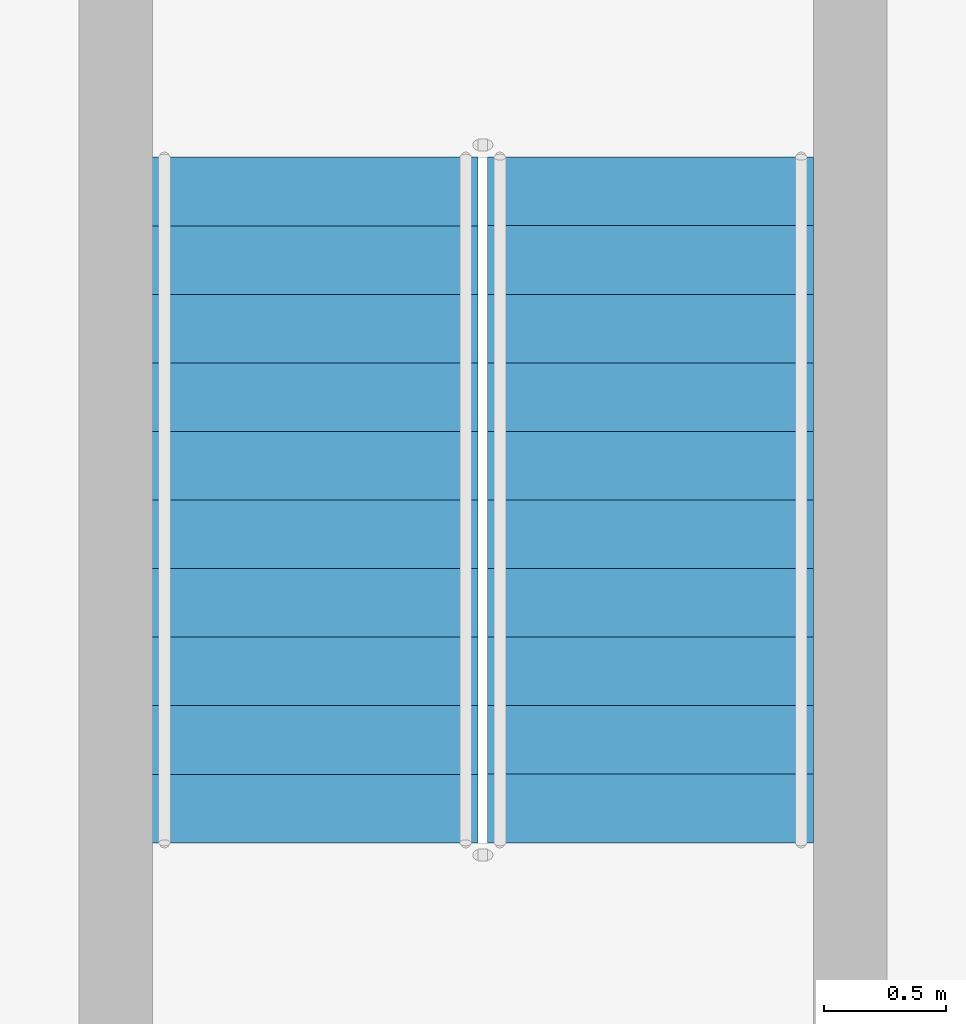
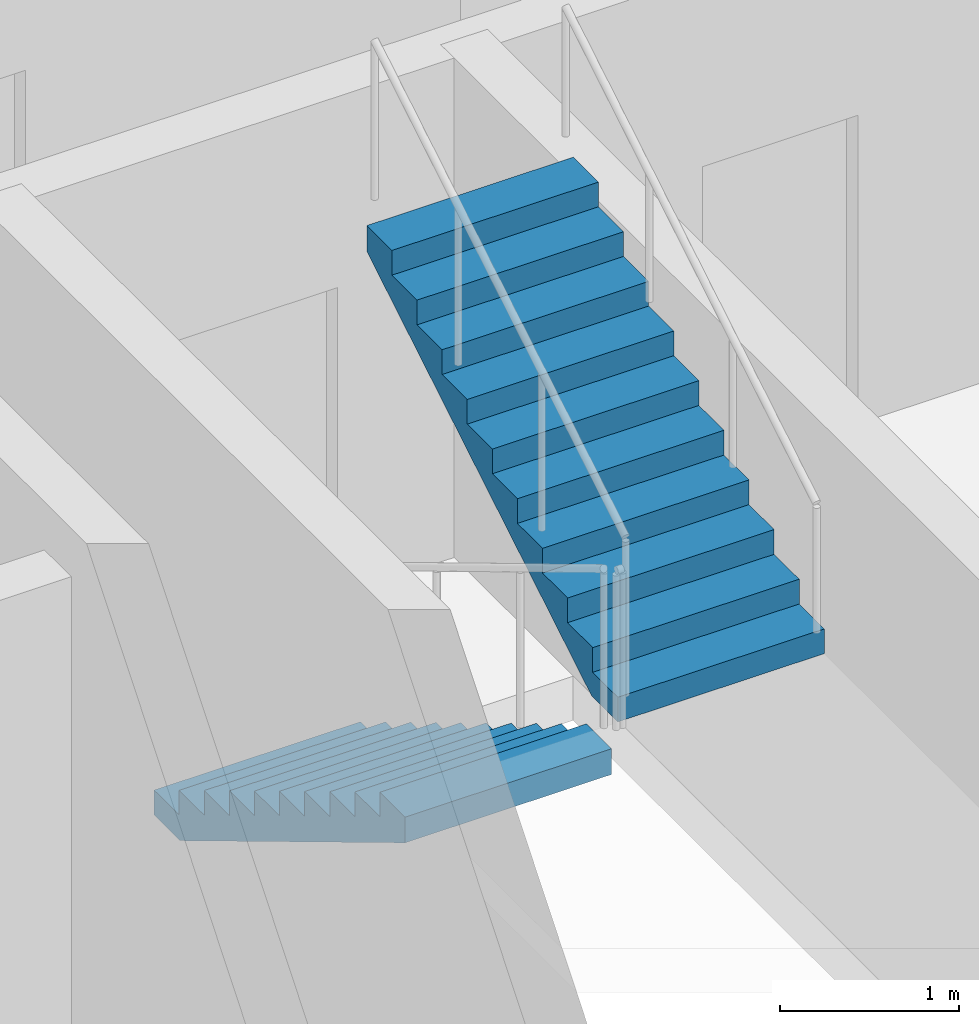
# One storey, part 13 of 21: 2 stair flights, 1 element without a shape of its own.
"""IFC4 building model written with IfcOpenShell, lengths in metres."""

import ifcopenshell
import ifcopenshell.guid

model = None  # the IFC model being written
_history = None  # IfcOwnerHistory: only IFC2X3 demands one
_inside = {}  # id of a spatial element -> (the spatial element, [elements in it])
_under = {}  # id of a project, library or spatial element -> (it, [spatial elements below it])
_declared = {}  # id of a project -> (the project, [libraries it declares])
_typed = {}  # id of a type object -> (the type object, [elements of that type])
_made_of = {}  # id of a material, layer set ... -> (it, [elements and type objects made of it])


def new_model(schema):
    """Start an empty IFC model of exactly this schema.

    Asked for "IFC4X3", IfcOpenShell would pick the latest addendum, in which some entities
    have other attributes; the version numbers below select the first issue.
    IFC2X3 requires an IfcOwnerHistory on every rooted entity: one is made here for all.
    """
    global model, _history
    if schema == "IFC4X3":
        model = ifcopenshell.file(schema_version=(4, 3, 0, 0))
    else:
        model = ifcopenshell.file(schema=schema)
    _inside.clear()
    _under.clear()
    _declared.clear()
    _typed.clear()
    _made_of.clear()
    _history = None
    if model.schema == "IFC2X3":
        org = make("IfcOrganization", Name="unknown")
        user = make(
            "IfcPersonAndOrganization",
            ThePerson=make("IfcPerson", FamilyName="unknown"),
            TheOrganization=org,
        )
        app = make(
            "IfcApplication",
            ApplicationDeveloper=org,
            Version="unknown",
            ApplicationFullName="unknown",
            ApplicationIdentifier="unknown",
        )
        _history = make(
            "IfcOwnerHistory",
            OwningUser=user,
            OwningApplication=app,
            ChangeAction="ADDED",
            CreationDate=0,
        )
    return model


def make(cls, **values):
    """One entity of the class cls with the attributes given. An attribute that is None is left unset."""
    return model.create_entity(
        cls, **{name: value for name, value in values.items() if value is not None}
    )


def rooted(cls, **values):
    """An entity with a GlobalId (a new one), such as an element, a storey or a relation."""
    return make(cls, GlobalId=ifcopenshell.guid.new(), OwnerHistory=_history, **values)


def si_unit(unit_type, name, prefix=None):
    """IfcSIUnit, for example si_unit("LENGTHUNIT", "METRE", prefix="MILLI")."""
    return make("IfcSIUnit", UnitType=unit_type, Prefix=prefix, Name=name)


def assignment(units):
    """IfcUnitAssignment: the units of a project."""
    return None if units is None else make("IfcUnitAssignment", Units=units)


def point(xyz):
    """IfcCartesianPoint."""
    return None if xyz is None else make("IfcCartesianPoint", Coordinates=xyz)


def direction(xyz):
    """IfcDirection."""
    return None if xyz is None else make("IfcDirection", DirectionRatios=xyz)


def frame(location, z_axis=None, x_axis=None):
    """IfcAxis2Placement3D, a coordinate frame: its origin and axes. An axis left out is left unset."""
    return make(
        "IfcAxis2Placement3D",
        Location=point(location),
        Axis=direction(z_axis),
        RefDirection=direction(x_axis),
    )


def origin():
    """The frame at (0, 0, 0) with its axes left unset."""
    return frame((0.0, 0.0, 0.0))


def place(relative_to, where):
    """IfcLocalPlacement: puts the frame where relative to a parent placement (None: the world)."""
    return make(
        "IfcLocalPlacement", PlacementRelTo=relative_to, RelativePlacement=where
    )


def context(
    kind, dimensions, precision=None, world=None, true_north=None, identifier=None
):
    """IfcGeometricRepresentationContext, for example the 3D "Model" context."""
    return make(
        "IfcGeometricRepresentationContext",
        ContextIdentifier=identifier,
        ContextType=kind,
        CoordinateSpaceDimension=dimensions,
        Precision=precision,
        WorldCoordinateSystem=world,
        TrueNorth=true_north,
    )


def subcontext(parent, identifier, kind, view, scale=None):
    """IfcGeometricRepresentationSubContext, for example "Body" below "Model"."""
    return make(
        "IfcGeometricRepresentationSubContext",
        ContextIdentifier=identifier,
        ContextType=kind,
        ParentContext=parent,
        TargetScale=scale,
        TargetView=view,
    )


def project(units=None, contexts=None):
    """IfcProject with its units and contexts."""
    return rooted(
        "IfcProject",
        Name="project",
        RepresentationContexts=contexts,
        UnitsInContext=assignment(units),
    )


def spatial(cls, under=None, at=None, **own):
    """A site, building, storey or space (cls), placed at a placement, below another one or the project."""
    s = rooted(cls, ObjectPlacement=at, **own)
    if under is not None:
        _under.setdefault(under.id(), (under, []))[1].append(s)
    return s


def point_list(points):
    """IfcCartesianPointList2D or 3D."""
    cls = (
        "IfcCartesianPointList2D" if len(points[0]) == 2 else "IfcCartesianPointList3D"
    )
    return make(cls, CoordList=points)


def triangles(points, corners, closed=None, point_numbers=None):
    """IfcTriangulatedFaceSet: each triangle names its three corners, points numbered from 1."""
    return make(
        "IfcTriangulatedFaceSet",
        Coordinates=point_list(points),
        Closed=closed,
        CoordIndex=corners,
        PnIndex=point_numbers,
    )


def shape(context_of_items, identifier, shape_type, items):
    """IfcShapeRepresentation: the items that make up one representation, for example the "Body"."""
    return make(
        "IfcShapeRepresentation",
        ContextOfItems=context_of_items,
        RepresentationIdentifier=identifier,
        RepresentationType=shape_type,
        Items=items,
    )


def source(mapping_origin, context_of_items, identifier, shape_type, items):
    """IfcRepresentationMap: a shape defined once, which mapped items show again and again."""
    return make(
        "IfcRepresentationMap",
        MappingOrigin=mapping_origin,
        MappedRepresentation=shape(context_of_items, identifier, shape_type, items),
    )


def transform(
    local_origin,
    x_axis=None,
    y_axis=None,
    z_axis=None,
    scale=None,
    scale2=None,
    scale3=None,
    uniform=True,
):
    """IfcCartesianTransformationOperator3D, or its non-uniform kind. x_axis, y_axis, z_axis: its Axis1, 2, 3."""
    if uniform:
        return make(
            "IfcCartesianTransformationOperator3D",
            Axis1=direction(x_axis),
            Axis2=direction(y_axis),
            LocalOrigin=point(local_origin),
            Scale=scale,
            Axis3=direction(z_axis),
        )
    return make(
        "IfcCartesianTransformationOperator3DnonUniform",
        Axis1=direction(x_axis),
        Axis2=direction(y_axis),
        LocalOrigin=point(local_origin),
        Scale=scale,
        Axis3=direction(z_axis),
        Scale2=scale2,
        Scale3=scale3,
    )


def mapped(mapping_source, mapping_target):
    """IfcMappedItem: shows the shape of a source again, moved by a transform."""
    return make(
        "IfcMappedItem", MappingSource=mapping_source, MappingTarget=mapping_target
    )


def material(Name=None, Category=None):
    """IfcMaterial."""
    return make("IfcMaterial", Name=Name, Category=Category)


def made_of(thing, what):
    """Note that an element or type object is made of a material, layer set ...; save() writes the relation."""
    if what is not None:
        _made_of.setdefault(what.id(), (what, []))[1].append(thing)
    return thing


def type_object(cls, material=None, **own):
    """A type object (cls), such as IfcWallType, which elements share."""
    return made_of(rooted(cls, **own), material)


def element(
    cls,
    number,
    at=None,
    inside=None,
    cuts=None,
    type_object=None,
    material=None,
    context=None,
    identifier="Body",
    shape_type=None,
    held_by="IfcProductDefinitionShape",
    body=None,
    shapes=None,
    **own,
):
    """One element of the class cls, such as IfcWall. Its Tag is "e" and its number.

    at: its placement. inside: the storey or other place that contains it. cuts: it is an
    opening in that element (IfcRelVoidsElement). A single representation is given by context,
    identifier, shape_type and body (its items); several are given by shapes. held_by: the class
    of the entity that holds the representations. save() writes the other relations.
    """
    e = rooted(cls, Tag="e%d" % number, ObjectPlacement=at, **own)
    if body is not None:
        shapes = [shape(context, identifier, shape_type, body)]
    if shapes is not None:
        e.Representation = make(held_by, Representations=shapes)
    if inside is not None:
        _inside.setdefault(inside.id(), (inside, []))[1].append(e)
    if cuts is not None:
        rooted(
            "IfcRelVoidsElement", RelatingBuildingElement=cuts, RelatedOpeningElement=e
        )
    if type_object is not None:
        _typed.setdefault(type_object.id(), (type_object, []))[1].append(e)
    return made_of(e, material)


def aggregate(whole, parts):
    """IfcRelAggregates: a whole, such as a stair, and the parts it consists of."""
    return rooted("IfcRelAggregates", RelatingObject=whole, RelatedObjects=parts)


def save(model, path):
    """Write the relations noted so far, then the file.

    IfcRelAggregates (storeys below a building ...), IfcRelContainedInSpatialStructure (elements
    in a storey), IfcRelDefinesByType, IfcRelAssociatesMaterial and IfcRelDeclares: one each for
    every whole, place, type object, material and project.
    """
    for whole, parts in _under.values():
        aggregate(whole, parts)
    for where, things in _inside.values():
        rooted(
            "IfcRelContainedInSpatialStructure",
            RelatedElements=things,
            RelatingStructure=where,
        )
    for kind, things in _typed.values():
        rooted("IfcRelDefinesByType", RelatedObjects=things, RelatingType=kind)
    for what, things in _made_of.values():
        rooted("IfcRelAssociatesMaterial", RelatedObjects=things, RelatingMaterial=what)
    for by, libraries in _declared.values():
        rooted("IfcRelDeclares", RelatingContext=by, RelatedDefinitions=libraries)
    model.write(path)


model = new_model("IFC4")

# Units and contexts
model_context = context("Model", 3, precision=1e-05, world=origin(), true_north=direction((0.0, 1.0)))
body_context = subcontext(model_context, "Body", "Model", "MODEL_VIEW")
ifc_project = project(units=[si_unit("LENGTHUNIT", "METRE"), si_unit("AREAUNIT", "SQUARE_METRE"), si_unit("VOLUMEUNIT", "CUBIC_METRE"), si_unit("PLANEANGLEUNIT", "RADIAN"), si_unit("MASSUNIT", "GRAM", prefix="KILO")], contexts=[model_context])

# Site, building, storey
site_placement = place(None, origin())
site = spatial("IfcSite", under=ifc_project, at=site_placement, CompositionType="ELEMENT")
building_placement = place(site_placement, origin())
building = spatial("IfcBuilding", under=site, at=building_placement, Name="Ogive Portal Towers", CompositionType="ELEMENT")
storey_placement = place(building_placement, frame((0.0, 0.0, 109.300048828125)))
storey = spatial("IfcBuildingStorey", under=building, at=storey_placement, Name="L26", CompositionType="ELEMENT", Elevation=109.300048828125)

# Stair, stair flights
ifc_material = material(Name="Concrete C40/50", Category="concrete")
stair_type = type_object("IfcStairType", Name="INT-STAIR", PredefinedType="HALF_TURN_STAIR", material=ifc_material)
stair_placement = place(storey_placement, origin())
stair = element("IfcStair", 1, at=stair_placement, inside=storey, type_object=stair_type, Name="L26 Exit Stair ST-A4", PredefinedType="HALF_TURN_STAIR")
stair_flight_type = type_object("IfcStairFlightType", Name="INT-FLIGHT", PredefinedType="STRAIGHT", material=ifc_material)
shared_shape = source(origin(), body_context, "Body", "Tessellation", [
    triangles([(0.0, -0.6650390625, 0.0), (0.0, -0.384765625, 0.0), (0.0, -0.197021484375, 0.0), (0.0, -0.0830078125, 0.0), (0.0, -0.024658203125, 0.0), (0.0, -0.003173828125, 0.0), (0.0, 0.0, 0.0), (0.0, 0.003173828125, 0.0), (0.0, 0.024658203125, 0.0), (0.0, 0.0830078125, 0.0), (0.0, 0.197021484375, 0.0), (0.0, 0.384765625, 0.0), (0.0, 0.6650390625, 0.0), (0.0, -0.6650390625, 0.168212890625), (0.0, -0.384765625, 0.168212890625), (0.0, -0.197021484375, 0.168212890625), (0.0, -0.0830078125, 0.168212890625), (0.0, -0.024658203125, 0.168212890625), (0.0, -0.003173828125, 0.168212890625), (0.0, 0.0, 0.168212890625), (0.0, 0.003173828125, 0.168212890625), (0.0, 0.024658203125, 0.168212890625), (0.0, 0.0830078125, 0.168212890625), (0.0, 0.197021484375, 0.168212890625), (0.0, 0.384765625, 0.168212890625), (0.0, 0.6650390625, 0.168212890625), (0.280029296875, -0.6650390625, 0.168212890625), (0.280029296875, -0.384765625, 0.168212890625), (0.280029296875, -0.197021484375, 0.168212890625), (0.280029296875, -0.0830078125, 0.168212890625), (0.280029296875, -0.024658203125, 0.168212890625), (0.280029296875, -0.003173828125, 0.168212890625), (0.280029296875, 0.0, 0.168212890625), (0.280029296875, 0.003173828125, 0.168212890625), (0.280029296875, 0.024658203125, 0.168212890625), (0.280029296875, 0.0830078125, 0.168212890625), (0.280029296875, 0.197021484375, 0.168212890625), (0.280029296875, 0.384765625, 0.168212890625), (0.280029296875, 0.6650390625, 0.168212890625), (0.280029296875, -0.6650390625, 0.33642578125), (0.280029296875, -0.384765625, 0.33642578125), (0.280029296875, -0.197021484375, 0.33642578125), (0.280029296875, -0.0830078125, 0.33642578125), (0.280029296875, -0.024658203125, 0.33642578125), (0.280029296875, -0.003173828125, 0.33642578125), (0.280029296875, 0.0, 0.33642578125), (0.280029296875, 0.003173828125, 0.33642578125), (0.280029296875, 0.024658203125, 0.33642578125), (0.280029296875, 0.0830078125, 0.33642578125), (0.280029296875, 0.197021484375, 0.33642578125), (0.280029296875, 0.384765625, 0.33642578125), (0.280029296875, 0.6650390625, 0.33642578125), (0.56005859375, -0.6650390625, 0.33642578125), (0.56005859375, -0.384765625, 0.33642578125), (0.56005859375, -0.197021484375, 0.33642578125), (0.56005859375, -0.0830078125, 0.33642578125), (0.56005859375, -0.024658203125, 0.33642578125), (0.56005859375, -0.003173828125, 0.33642578125), (0.56005859375, 0.0, 0.33642578125), (0.56005859375, 0.003173828125, 0.33642578125), (0.56005859375, 0.024658203125, 0.33642578125), (0.56005859375, 0.0830078125, 0.33642578125), (0.56005859375, 0.197021484375, 0.33642578125), (0.56005859375, 0.384765625, 0.33642578125), (0.56005859375, 0.6650390625, 0.33642578125), (0.56005859375, -0.6650390625, 0.504638671875), (0.56005859375, -0.384765625, 0.504638671875), (0.56005859375, -0.197021484375, 0.504638671875), (0.56005859375, -0.0830078125, 0.504638671875), (0.56005859375, -0.024658203125, 0.504638671875), (0.56005859375, -0.003173828125, 0.504638671875), (0.56005859375, 0.0, 0.504638671875), (0.56005859375, 0.003173828125, 0.504638671875), (0.56005859375, 0.024658203125, 0.504638671875), (0.56005859375, 0.0830078125, 0.504638671875), (0.56005859375, 0.197021484375, 0.504638671875), (0.56005859375, 0.384765625, 0.504638671875), (0.56005859375, 0.6650390625, 0.504638671875), (0.840087890625, -0.6650390625, 0.504638671875), (0.840087890625, -0.384765625, 0.504638671875), (0.840087890625, -0.197021484375, 0.504638671875), (0.840087890625, -0.0830078125, 0.504638671875), (0.840087890625, -0.024658203125, 0.504638671875), (0.840087890625, -0.003173828125, 0.504638671875), (0.840087890625, 0.0, 0.504638671875), (0.840087890625, 0.003173828125, 0.504638671875), (0.840087890625, 0.024658203125, 0.504638671875), (0.840087890625, 0.0830078125, 0.504638671875), (0.840087890625, 0.197021484375, 0.504638671875), (0.840087890625, 0.384765625, 0.504638671875), (0.840087890625, 0.6650390625, 0.504638671875), (0.840087890625, -0.6650390625, 0.672607421875), (0.840087890625, -0.384765625, 0.672607421875), (0.840087890625, -0.197021484375, 0.672607421875), (0.840087890625, -0.0830078125, 0.672607421875), (0.840087890625, -0.024658203125, 0.672607421875), (0.840087890625, -0.003173828125, 0.672607421875), (0.840087890625, 0.0, 0.672607421875), (0.840087890625, 0.003173828125, 0.672607421875), (0.840087890625, 0.024658203125, 0.672607421875), (0.840087890625, 0.0830078125, 0.672607421875), (0.840087890625, 0.197021484375, 0.672607421875), (0.840087890625, 0.384765625, 0.672607421875), (0.840087890625, 0.6650390625, 0.672607421875), (1.1201171875, -0.6650390625, 0.672607421875), (1.1201171875, -0.384765625, 0.672607421875), (1.1201171875, -0.197021484375, 0.672607421875), (1.1201171875, -0.0830078125, 0.672607421875), (1.1201171875, -0.024658203125, 0.672607421875), (1.1201171875, -0.003173828125, 0.672607421875), (1.1201171875, 0.0, 0.672607421875), (1.1201171875, 0.003173828125, 0.672607421875), (1.1201171875, 0.024658203125, 0.672607421875), (1.1201171875, 0.0830078125, 0.672607421875), (1.1201171875, 0.197021484375, 0.672607421875), (1.1201171875, 0.384765625, 0.672607421875), (1.1201171875, 0.6650390625, 0.672607421875), (1.1201171875, -0.6650390625, 0.8408203125), (1.1201171875, -0.384765625, 0.8408203125), (1.1201171875, -0.197021484375, 0.8408203125), (1.1201171875, -0.0830078125, 0.8408203125), (1.1201171875, -0.024658203125, 0.8408203125), (1.1201171875, -0.003173828125, 0.8408203125), (1.1201171875, 0.0, 0.8408203125), (1.1201171875, 0.003173828125, 0.8408203125), (1.1201171875, 0.024658203125, 0.8408203125), (1.1201171875, 0.0830078125, 0.8408203125), (1.1201171875, 0.197021484375, 0.8408203125), (1.1201171875, 0.384765625, 0.8408203125), (1.1201171875, 0.6650390625, 0.8408203125), (1.39990234375, -0.6650390625, 0.8408203125), (1.39990234375, -0.384765625, 0.8408203125), (1.39990234375, -0.197021484375, 0.8408203125), (1.39990234375, -0.0830078125, 0.8408203125), (1.39990234375, -0.024658203125, 0.8408203125), (1.39990234375, -0.003173828125, 0.8408203125), (1.39990234375, 0.0, 0.8408203125), (1.39990234375, 0.003173828125, 0.8408203125), (1.39990234375, 0.024658203125, 0.8408203125), (1.39990234375, 0.0830078125, 0.8408203125), (1.39990234375, 0.197021484375, 0.8408203125), (1.39990234375, 0.384765625, 0.8408203125), (1.39990234375, 0.6650390625, 0.8408203125), (1.39990234375, -0.6650390625, 1.009033203125), (1.39990234375, -0.384765625, 1.009033203125), (1.39990234375, -0.197021484375, 1.009033203125), (1.39990234375, -0.0830078125, 1.009033203125), (1.39990234375, -0.024658203125, 1.009033203125), (1.39990234375, -0.003173828125, 1.009033203125), (1.39990234375, 0.0, 1.009033203125), (1.39990234375, 0.003173828125, 1.009033203125), (1.39990234375, 0.024658203125, 1.009033203125), (1.39990234375, 0.0830078125, 1.009033203125), (1.39990234375, 0.197021484375, 1.009033203125), (1.39990234375, 0.384765625, 1.009033203125), (1.39990234375, 0.6650390625, 1.009033203125), (1.679931640625, -0.6650390625, 1.009033203125), (1.679931640625, -0.384765625, 1.009033203125), (1.679931640625, -0.197021484375, 1.009033203125), (1.679931640625, -0.0830078125, 1.009033203125), (1.679931640625, -0.024658203125, 1.009033203125), (1.679931640625, -0.003173828125, 1.009033203125), (1.679931640625, 0.0, 1.009033203125), (1.679931640625, 0.003173828125, 1.009033203125), (1.679931640625, 0.024658203125, 1.009033203125), (1.679931640625, 0.0830078125, 1.009033203125), (1.679931640625, 0.197021484375, 1.009033203125), (1.679931640625, 0.384765625, 1.009033203125), (1.679931640625, 0.6650390625, 1.009033203125), (1.679931640625, -0.6650390625, 1.17724609375), (1.679931640625, -0.384765625, 1.17724609375), (1.679931640625, -0.197021484375, 1.17724609375), (1.679931640625, -0.0830078125, 1.17724609375), (1.679931640625, -0.024658203125, 1.17724609375), (1.679931640625, -0.003173828125, 1.17724609375), (1.679931640625, 0.0, 1.17724609375), (1.679931640625, 0.003173828125, 1.17724609375), (1.679931640625, 0.024658203125, 1.17724609375), (1.679931640625, 0.0830078125, 1.17724609375), (1.679931640625, 0.197021484375, 1.17724609375), (1.679931640625, 0.384765625, 1.17724609375), (1.679931640625, 0.6650390625, 1.17724609375), (1.9599609375, -0.6650390625, 1.17724609375), (1.9599609375, -0.384765625, 1.17724609375), (1.9599609375, -0.197021484375, 1.17724609375), (1.9599609375, -0.0830078125, 1.17724609375), (1.9599609375, -0.024658203125, 1.17724609375), (1.9599609375, -0.003173828125, 1.17724609375), (1.9599609375, 0.0, 1.17724609375), (1.9599609375, 0.003173828125, 1.17724609375), (1.9599609375, 0.024658203125, 1.17724609375), (1.9599609375, 0.0830078125, 1.17724609375), (1.9599609375, 0.197021484375, 1.17724609375), (1.9599609375, 0.384765625, 1.17724609375), (1.9599609375, 0.6650390625, 1.17724609375), (1.9599609375, -0.6650390625, 1.345458984375), (1.9599609375, -0.384765625, 1.345458984375), (1.9599609375, -0.197021484375, 1.345458984375), (1.9599609375, -0.0830078125, 1.345458984375), (1.9599609375, -0.024658203125, 1.345458984375), (1.9599609375, -0.003173828125, 1.345458984375), (1.9599609375, 0.0, 1.345458984375), (1.9599609375, 0.003173828125, 1.345458984375), (1.9599609375, 0.024658203125, 1.345458984375), (1.9599609375, 0.0830078125, 1.345458984375), (1.9599609375, 0.197021484375, 1.345458984375), (1.9599609375, 0.384765625, 1.345458984375), (1.9599609375, 0.6650390625, 1.345458984375), (2.239990234375, -0.6650390625, 1.345458984375), (2.239990234375, -0.384765625, 1.345458984375), (2.239990234375, -0.197021484375, 1.345458984375), (2.239990234375, -0.0830078125, 1.345458984375), (2.239990234375, -0.024658203125, 1.345458984375), (2.239990234375, -0.003173828125, 1.345458984375), (2.239990234375, 0.0, 1.345458984375), (2.239990234375, 0.003173828125, 1.345458984375), (2.239990234375, 0.024658203125, 1.345458984375), (2.239990234375, 0.0830078125, 1.345458984375), (2.239990234375, 0.197021484375, 1.345458984375), (2.239990234375, 0.384765625, 1.345458984375), (2.239990234375, 0.6650390625, 1.345458984375), (2.239990234375, -0.6650390625, 1.513671875), (2.239990234375, -0.384765625, 1.513671875), (2.239990234375, -0.197021484375, 1.513671875), (2.239990234375, -0.0830078125, 1.513671875), (2.239990234375, -0.024658203125, 1.513671875), (2.239990234375, -0.003173828125, 1.513671875), (2.239990234375, 0.0, 1.513671875), (2.239990234375, 0.003173828125, 1.513671875), (2.239990234375, 0.024658203125, 1.513671875), (2.239990234375, 0.0830078125, 1.513671875), (2.239990234375, 0.197021484375, 1.513671875), (2.239990234375, 0.384765625, 1.513671875), (2.239990234375, 0.6650390625, 1.513671875), (2.52001953125, -0.6650390625, 1.513671875), (2.52001953125, -0.384765625, 1.513671875), (2.52001953125, -0.197021484375, 1.513671875), (2.52001953125, -0.0830078125, 1.513671875), (2.52001953125, -0.024658203125, 1.513671875), (2.52001953125, -0.003173828125, 1.513671875), (2.52001953125, 0.0, 1.513671875), (2.52001953125, 0.003173828125, 1.513671875), (2.52001953125, 0.024658203125, 1.513671875), (2.52001953125, 0.0830078125, 1.513671875), (2.52001953125, 0.197021484375, 1.513671875), (2.52001953125, 0.384765625, 1.513671875), (2.52001953125, 0.6650390625, 1.513671875), (2.52001953125, -0.6650390625, 1.681884765625), (2.52001953125, -0.384765625, 1.681884765625), (2.52001953125, -0.197021484375, 1.681884765625), (2.52001953125, -0.0830078125, 1.681884765625), (2.52001953125, -0.024658203125, 1.681884765625), (2.52001953125, -0.003173828125, 1.681884765625), (2.52001953125, 0.0, 1.681884765625), (2.52001953125, 0.003173828125, 1.681884765625), (2.52001953125, 0.024658203125, 1.681884765625), (2.52001953125, 0.0830078125, 1.681884765625), (2.52001953125, 0.197021484375, 1.681884765625), (2.52001953125, 0.384765625, 1.681884765625), (2.52001953125, 0.6650390625, 1.681884765625), (2.800048828125, -0.6650390625, 1.681884765625), (2.800048828125, -0.384765625, 1.681884765625), (2.800048828125, -0.197021484375, 1.681884765625), (2.800048828125, -0.0830078125, 1.681884765625), (2.800048828125, -0.024658203125, 1.681884765625), (2.800048828125, -0.003173828125, 1.681884765625), (2.800048828125, 0.0, 1.681884765625), (2.800048828125, 0.003173828125, 1.681884765625), (2.800048828125, 0.024658203125, 1.681884765625), (2.800048828125, 0.0830078125, 1.681884765625), (2.800048828125, 0.197021484375, 1.681884765625), (2.800048828125, 0.384765625, 1.681884765625), (2.800048828125, 0.6650390625, 1.681884765625), (2.800048828125, -0.6650390625, 1.5068359375), (2.800048828125, -0.384765625, 1.5068359375), (2.800048828125, -0.197021484375, 1.5068359375), (2.800048828125, -0.0830078125, 1.5068359375), (2.800048828125, -0.024658203125, 1.5068359375), (2.800048828125, -0.003173828125, 1.5068359375), (2.800048828125, 0.0, 1.5068359375), (2.800048828125, 0.003173828125, 1.5068359375), (2.800048828125, 0.024658203125, 1.5068359375), (2.800048828125, 0.0830078125, 1.5068359375), (2.800048828125, 0.197021484375, 1.5068359375), (2.800048828125, 0.384765625, 1.5068359375), (2.800048828125, 0.6650390625, 1.5068359375), (0.291015625, -0.6650390625, 0.0), (0.291015625, -0.384765625, 0.0), (0.291015625, -0.197021484375, 0.0), (0.291015625, -0.0830078125, 0.0), (0.291015625, -0.024658203125, 0.0), (0.291015625, -0.003173828125, 0.0), (0.291015625, 0.0, 0.0), (0.291015625, 0.003173828125, 0.0), (0.291015625, 0.024658203125, 0.0), (0.291015625, 0.0830078125, 0.0), (0.291015625, 0.197021484375, 0.0), (0.291015625, 0.384765625, 0.0), (0.291015625, 0.6650390625, 0.0)], [[1, 14, 15], [1, 15, 2], [2, 15, 16], [2, 16, 3], [3, 16, 17], [3, 17, 4], [4, 17, 18], [4, 18, 5], [5, 18, 19], [5, 19, 6], [6, 19, 20], [6, 20, 7], [7, 20, 21], [7, 21, 8], [8, 21, 22], [8, 22, 9], [9, 22, 23], [9, 23, 10], [10, 23, 24], [10, 24, 11], [11, 24, 25], [11, 25, 12], [12, 25, 26], [12, 26, 13], [14, 27, 28], [14, 28, 15], [15, 28, 29], [15, 29, 16], [16, 29, 30], [16, 30, 17], [17, 30, 31], [17, 31, 18], [18, 31, 32], [18, 32, 19], [19, 32, 33], [19, 33, 20], [20, 33, 34], [20, 34, 21], [21, 34, 35], [21, 35, 22], [22, 35, 36], [22, 36, 23], [23, 36, 37], [23, 37, 24], [24, 37, 38], [24, 38, 25], [25, 38, 39], [25, 39, 26], [27, 40, 41], [27, 41, 28], [28, 41, 42], [28, 42, 29], [29, 42, 43], [29, 43, 30], [30, 43, 44], [30, 44, 31], [31, 44, 45], [31, 45, 32], [32, 45, 46], [32, 46, 33], [33, 46, 47], [33, 47, 34], [34, 47, 48], [34, 48, 35], [35, 48, 49], [35, 49, 36], [36, 49, 50], [36, 50, 37], [37, 50, 51], [37, 51, 38], [38, 51, 52], [38, 52, 39], [40, 53, 54], [40, 54, 41], [41, 54, 55], [41, 55, 42], [42, 55, 56], [42, 56, 43], [43, 56, 57], [43, 57, 44], [44, 57, 58], [44, 58, 45], [45, 58, 59], [45, 59, 46], [46, 59, 60], [46, 60, 47], [47, 60, 61], [47, 61, 48], [48, 61, 62], [48, 62, 49], [49, 62, 63], [49, 63, 50], [50, 63, 64], [50, 64, 51], [51, 64, 65], [51, 65, 52], [53, 66, 67], [53, 67, 54], [54, 67, 68], [54, 68, 55], [55, 68, 69], [55, 69, 56], [56, 69, 70], [56, 70, 57], [57, 70, 71], [57, 71, 58], [58, 71, 72], [58, 72, 59], [59, 72, 73], [59, 73, 60], [60, 73, 74], [60, 74, 61], [61, 74, 75], [61, 75, 62], [62, 75, 76], [62, 76, 63], [63, 76, 77], [63, 77, 64], [64, 77, 78], [64, 78, 65], [66, 79, 80], [66, 80, 67], [67, 80, 81], [67, 81, 68], [68, 81, 82], [68, 82, 69], [69, 82, 83], [69, 83, 70], [70, 83, 84], [70, 84, 71], [71, 84, 85], [71, 85, 72], [72, 85, 86], [72, 86, 73], [73, 86, 87], [73, 87, 74], [74, 87, 88], [74, 88, 75], [75, 88, 89], [75, 89, 76], [76, 89, 90], [76, 90, 77], [77, 90, 91], [77, 91, 78], [79, 92, 93], [79, 93, 80], [80, 93, 94], [80, 94, 81], [81, 94, 95], [81, 95, 82], [82, 95, 96], [82, 96, 83], [83, 96, 97], [83, 97, 84], [84, 97, 98], [84, 98, 85], [85, 98, 99], [85, 99, 86], [86, 99, 100], [86, 100, 87], [87, 100, 101], [87, 101, 88], [88, 101, 102], [88, 102, 89], [89, 102, 103], [89, 103, 90], [90, 103, 104], [90, 104, 91], [92, 105, 106], [92, 106, 93], [93, 106, 107], [93, 107, 94], [94, 107, 108], [94, 108, 95], [95, 108, 109], [95, 109, 96], [96, 109, 110], [96, 110, 97], [97, 110, 111], [97, 111, 98], [98, 111, 112], [98, 112, 99], [99, 112, 113], [99, 113, 100], [100, 113, 114], [100, 114, 101], [101, 114, 115], [101, 115, 102], [102, 115, 116], [102, 116, 103], [103, 116, 117], [103, 117, 104], [105, 118, 119], [105, 119, 106], [106, 119, 120], [106, 120, 107], [107, 120, 121], [107, 121, 108], [108, 121, 122], [108, 122, 109], [109, 122, 123], [109, 123, 110], [110, 123, 124], [110, 124, 111], [111, 124, 125], [111, 125, 112], [112, 125, 126], [112, 126, 113], [113, 126, 127], [113, 127, 114], [114, 127, 128], [114, 128, 115], [115, 128, 129], [115, 129, 116], [116, 129, 130], [116, 130, 117], [118, 131, 132], [118, 132, 119], [119, 132, 133], [119, 133, 120], [120, 133, 134], [120, 134, 121], [121, 134, 135], [121, 135, 122], [122, 135, 136], [122, 136, 123], [123, 136, 137], [123, 137, 124], [124, 137, 138], [124, 138, 125], [125, 138, 139], [125, 139, 126], [126, 139, 140], [126, 140, 127], [127, 140, 141], [127, 141, 128], [128, 141, 142], [128, 142, 129], [129, 142, 143], [129, 143, 130], [131, 144, 145], [131, 145, 132], [132, 145, 146], [132, 146, 133], [133, 146, 147], [133, 147, 134], [134, 147, 148], [134, 148, 135], [135, 148, 149], [135, 149, 136], [136, 149, 150], [136, 150, 137], [137, 150, 151], [137, 151, 138], [138, 151, 152], [138, 152, 139], [139, 152, 153], [139, 153, 140], [140, 153, 154], [140, 154, 141], [141, 154, 155], [141, 155, 142], [142, 155, 156], [142, 156, 143], [144, 157, 158], [144, 158, 145], [145, 158, 159], [145, 159, 146], [146, 159, 160], [146, 160, 147], [147, 160, 161], [147, 161, 148], [148, 161, 162], [148, 162, 149], [149, 162, 163], [149, 163, 150], [150, 163, 164], [150, 164, 151], [151, 164, 165], [151, 165, 152], [152, 165, 166], [152, 166, 153], [153, 166, 167], [153, 167, 154], [154, 167, 168], [154, 168, 155], [155, 168, 169], [155, 169, 156], [157, 170, 171], [157, 171, 158], [158, 171, 172], [158, 172, 159], [159, 172, 173], [159, 173, 160], [160, 173, 174], [160, 174, 161], [161, 174, 175], [161, 175, 162], [162, 175, 176], [162, 176, 163], [163, 176, 177], [163, 177, 164], [164, 177, 178], [164, 178, 165], [165, 178, 179], [165, 179, 166], [166, 179, 180], [166, 180, 167], [167, 180, 181], [167, 181, 168], [168, 181, 182], [168, 182, 169], [170, 183, 184], [170, 184, 171], [171, 184, 185], [171, 185, 172], [172, 185, 186], [172, 186, 173], [173, 186, 187], [173, 187, 174], [174, 187, 188], [174, 188, 175], [175, 188, 189], [175, 189, 176], [176, 189, 190], [176, 190, 177], [177, 190, 191], [177, 191, 178], [178, 191, 192], [178, 192, 179], [179, 192, 193], [179, 193, 180], [180, 193, 194], [180, 194, 181], [181, 194, 195], [181, 195, 182], [183, 196, 197], [183, 197, 184], [184, 197, 198], [184, 198, 185], [185, 198, 199], [185, 199, 186], [186, 199, 200], [186, 200, 187], [187, 200, 201], [187, 201, 188], [188, 201, 202], [188, 202, 189], [189, 202, 203], [189, 203, 190], [190, 203, 204], [190, 204, 191], [191, 204, 205], [191, 205, 192], [192, 205, 206], [192, 206, 193], [193, 206, 207], [193, 207, 194], [194, 207, 208], [194, 208, 195], [196, 209, 210], [196, 210, 197], [197, 210, 211], [197, 211, 198], [198, 211, 212], [198, 212, 199], [199, 212, 213], [199, 213, 200], [200, 213, 214], [200, 214, 201], [201, 214, 215], [201, 215, 202], [202, 215, 216], [202, 216, 203], [203, 216, 217], [203, 217, 204], [204, 217, 218], [204, 218, 205], [205, 218, 219], [205, 219, 206], [206, 219, 220], [206, 220, 207], [207, 220, 221], [207, 221, 208], [209, 222, 223], [209, 223, 210], [210, 223, 224], [210, 224, 211], [211, 224, 225], [211, 225, 212], [212, 225, 226], [212, 226, 213], [213, 226, 227], [213, 227, 214], [214, 227, 228], [214, 228, 215], [215, 228, 229], [215, 229, 216], [216, 229, 230], [216, 230, 217], [217, 230, 231], [217, 231, 218], [218, 231, 232], [218, 232, 219], [219, 232, 233], [219, 233, 220], [220, 233, 234], [220, 234, 221], [222, 235, 236], [222, 236, 223], [223, 236, 237], [223, 237, 224], [224, 237, 238], [224, 238, 225], [225, 238, 239], [225, 239, 226], [226, 239, 240], [226, 240, 227], [227, 240, 241], [227, 241, 228], [228, 241, 242], [228, 242, 229], [229, 242, 243], [229, 243, 230], [230, 243, 244], [230, 244, 231], [231, 244, 245], [231, 245, 232], [232, 245, 246], [232, 246, 233], [233, 246, 247], [233, 247, 234], [235, 248, 249], [235, 249, 236], [236, 249, 250], [236, 250, 237], [237, 250, 251], [237, 251, 238], [238, 251, 252], [238, 252, 239], [239, 252, 253], [239, 253, 240], [240, 253, 254], [240, 254, 241], [241, 254, 255], [241, 255, 242], [242, 255, 256], [242, 256, 243], [243, 256, 257], [243, 257, 244], [244, 257, 258], [244, 258, 245], [245, 258, 259], [245, 259, 246], [246, 259, 260], [246, 260, 247], [248, 261, 262], [248, 262, 249], [249, 262, 263], [249, 263, 250], [250, 263, 264], [250, 264, 251], [251, 264, 265], [251, 265, 252], [252, 265, 266], [252, 266, 253], [253, 266, 267], [253, 267, 254], [254, 267, 268], [254, 268, 255], [255, 268, 269], [255, 269, 256], [256, 269, 270], [256, 270, 257], [257, 270, 271], [257, 271, 258], [258, 271, 272], [258, 272, 259], [259, 272, 273], [259, 273, 260], [261, 274, 275], [261, 275, 262], [262, 275, 276], [262, 276, 263], [263, 276, 277], [263, 277, 264], [264, 277, 278], [264, 278, 265], [265, 278, 279], [265, 279, 266], [266, 279, 280], [266, 280, 267], [267, 280, 281], [267, 281, 268], [268, 281, 282], [268, 282, 269], [269, 282, 283], [269, 283, 270], [270, 283, 284], [270, 284, 271], [271, 284, 285], [271, 285, 272], [272, 285, 286], [272, 286, 273], [274, 287, 288], [274, 288, 275], [275, 288, 289], [275, 289, 276], [276, 289, 290], [276, 290, 277], [277, 290, 291], [277, 291, 278], [278, 291, 292], [278, 292, 279], [279, 292, 293], [279, 293, 280], [280, 293, 294], [280, 294, 281], [281, 294, 295], [281, 295, 282], [282, 295, 296], [282, 296, 283], [283, 296, 297], [283, 297, 284], [284, 297, 298], [284, 298, 285], [285, 298, 299], [285, 299, 286], [287, 1, 2], [287, 2, 288], [288, 2, 3], [288, 3, 289], [289, 3, 4], [289, 4, 290], [290, 4, 5], [290, 5, 291], [291, 5, 6], [291, 6, 292], [292, 6, 7], [292, 7, 293], [293, 7, 8], [293, 8, 294], [294, 8, 9], [294, 9, 295], [295, 9, 10], [295, 10, 296], [296, 10, 11], [296, 11, 297], [297, 11, 12], [297, 12, 298], [298, 12, 13], [298, 13, 299], [1, 287, 274], [13, 286, 299], [274, 261, 248], [286, 260, 273], [274, 248, 235], [286, 247, 260], [274, 235, 222], [286, 234, 247], [274, 222, 209], [286, 221, 234], [209, 196, 183], [221, 195, 208], [274, 209, 183], [286, 195, 221], [183, 170, 157], [195, 169, 182], [274, 183, 157], [286, 169, 195], [157, 144, 131], [169, 143, 156], [274, 157, 131], [286, 143, 169], [131, 118, 105], [143, 117, 130], [274, 131, 105], [286, 117, 143], [1, 274, 105], [13, 117, 286], [105, 92, 79], [117, 91, 104], [79, 66, 53], [91, 65, 78], [105, 79, 53], [117, 65, 91], [53, 40, 27], [65, 39, 52], [105, 53, 27], [117, 39, 65], [1, 105, 27], [13, 39, 117], [27, 14, 1], [39, 13, 26]], closed=True),
])
stair_flight_1_placement = place(storey_placement, frame((87.6650390625, 29.169921875, 0.0), z_axis=(0.0, 0.0, 1.0), x_axis=(0.0, -1.0, 0.0)))
stair_flight_1 = element("IfcStairFlight", 2, at=stair_flight_1_placement, type_object=stair_flight_type, Name="ST-A4 flight 1", NumberOfRisers=11, NumberOfTreads=10, PredefinedType="STRAIGHT", RiserHeight=0.168181818, TreadLength=0.28, context=body_context, shape_type="MappedRepresentation", body=[
    mapped(shared_shape, transform((0.0, 0.0, 0.0), scale=1.0)),
])
stair_flight_2_placement = place(storey_placement, frame((89.034912109375, 26.3701171875, 1.849853515625), z_axis=(0.0, 0.0, 1.0), x_axis=(0.0, 1.0, 0.0)))
stair_flight_2 = element("IfcStairFlight", 3, at=stair_flight_2_placement, type_object=stair_flight_type, Name="ST-A4 flight 2", NumberOfRisers=11, NumberOfTreads=10, PredefinedType="STRAIGHT", RiserHeight=0.168181818, TreadLength=0.28, context=body_context, shape_type="MappedRepresentation", body=[
    mapped(shared_shape, transform((0.0, 0.0, 0.0), scale=1.0)),
])
aggregate(stair, [stair_flight_1, stair_flight_2])

save(model, "model.ifc")
